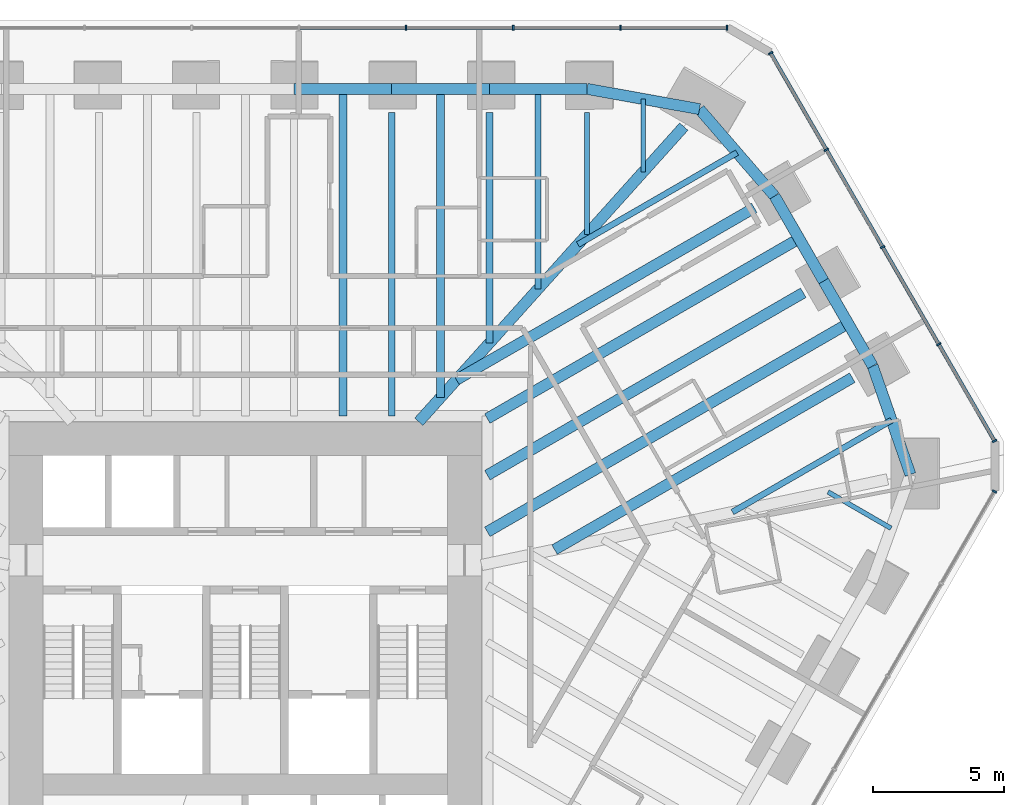
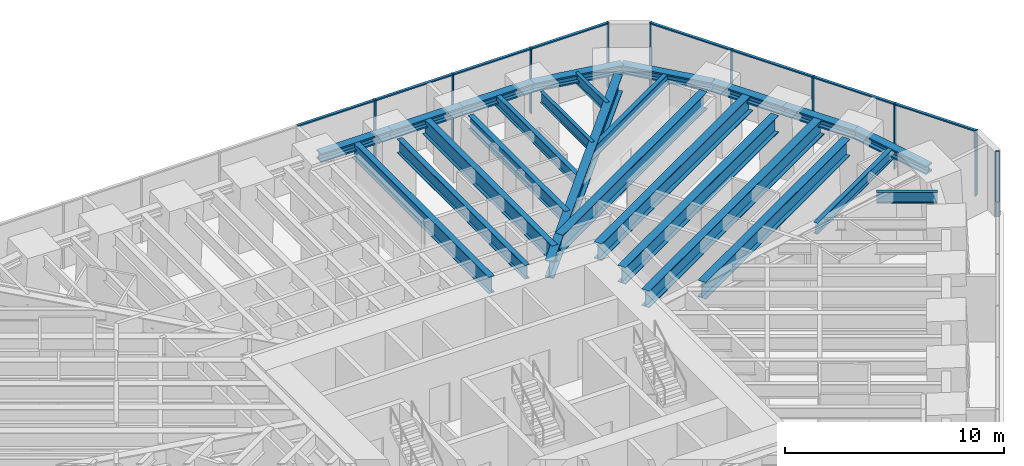
# One storey, part 9 of 17: 24 beams, 18 members, 3 elements without a shape of their own.
"""IFC4 building model written with IfcOpenShell, lengths in metres."""

from ifc_helpers import new_model, si_unit, direction, frame, origin, origin_2d, place, context, subcontext, project, spatial, rectangle, i_section, extrude, material, material_profile, profile_set, type_object, element, aggregate, save


model = new_model("IFC4")

# Units and contexts
model_context = context("Model", 3, precision=1e-05, world=origin(), true_north=direction((0.0, 1.0)))
body_context = subcontext(model_context, "Body", "Model", "MODEL_VIEW")
ifc_project = project(units=[si_unit("LENGTHUNIT", "METRE"), si_unit("AREAUNIT", "SQUARE_METRE"), si_unit("VOLUMEUNIT", "CUBIC_METRE"), si_unit("PLANEANGLEUNIT", "RADIAN"), si_unit("MASSUNIT", "GRAM", prefix="KILO")], contexts=[model_context])

# Site, building, storey
site_placement = place(None, origin())
site = spatial("IfcSite", under=ifc_project, at=site_placement, CompositionType="ELEMENT")
building_placement = place(site_placement, origin())
building = spatial("IfcBuilding", under=site, at=building_placement, Name="Sandreach Pilgrim Tower", CompositionType="ELEMENT")
storey_placement = place(building_placement, frame((0.0, 0.0, 169.0)))
storey = spatial("IfcBuildingStorey", under=building, at=storey_placement, Name="L42", CompositionType="ELEMENT", Elevation=169.0)

# Beams
ifc_material_1 = material(Name="Steel ASTM A913 Grade 65", Category="steel")
ifc_material_profile_1 = material_profile(ifc_material_1, i_section(OverallWidth=0.4267578125, OverallDepth=0.482666015625, WebThickness=0.05126953125, FlangeThickness=0.08154296875, at=origin_2d()), Name="W14X455")
ifc_profile_set_1 = profile_set([ifc_material_profile_1], Name="Steel ASTM A913 Grade 65")
beam_type_1 = type_object("IfcBeamType", Name="Belt truss chord W14X455", PredefinedType="BEAM", material=ifc_profile_set_1)
beam_1_placement = place(storey_placement, frame((1.869873046875, 20.155517578125, 3.398681640625), z_axis=(1.0, 0.0, 0.0), x_axis=(0.0, 1.0, 0.0)))
element("IfcBeam", 1, at=beam_1_placement, inside=storey, type_object=beam_type_1, Name="BM L42 BTB05", PredefinedType="BEAM", context=body_context, shape_type="SweptSolid", body=[
    extrude(i_section(OverallWidth=0.4267578125, OverallDepth=0.482666015625, WebThickness=0.05126953125, FlangeThickness=0.08154296875, at=origin_2d()), origin(), (0.0, 0.0, 1.0), 3.739990234375),
])
beam_2_placement = place(storey_placement, frame((5.60986328125, 20.155517578125, 3.398681640625), z_axis=(1.0, 0.0, 0.0), x_axis=(0.0, 1.0, 0.0)))
element("IfcBeam", 2, at=beam_2_placement, inside=storey, type_object=beam_type_1, Name="BM L42 BTB06", PredefinedType="BEAM", context=body_context, shape_type="SweptSolid", body=[
    extrude(i_section(OverallWidth=0.4267578125, OverallDepth=0.482666015625, WebThickness=0.05126953125, FlangeThickness=0.08154296875, at=origin_2d()), origin(), (0.0, 0.0, 1.0), 3.73974609375),
])
beam_3_placement = place(storey_placement, frame((9.349609375, 20.155517578125, 3.398681640625), z_axis=(1.0, 0.0, 0.0), x_axis=(0.0, 1.0, 0.0)))
element("IfcBeam", 3, at=beam_3_placement, inside=storey, type_object=beam_type_1, Name="BM L42 BTB07", PredefinedType="BEAM", context=body_context, shape_type="SweptSolid", body=[
    extrude(i_section(OverallWidth=0.4267578125, OverallDepth=0.482666015625, WebThickness=0.05126953125, FlangeThickness=0.08154296875, at=origin_2d()), origin(), (0.0, 0.0, 1.0), 3.739990234375),
])
beam_4_placement = place(storey_placement, frame((13.089599609375, 20.155517578125, 3.398681640625), z_axis=(0.984127496172, -0.177462872958, 0.0), x_axis=(0.177462872958, 0.984127496172, 0.0)))
element("IfcBeam", 4, at=beam_4_placement, inside=storey, type_object=beam_type_1, Name="BM L42 BTB08", PredefinedType="BEAM", context=body_context, shape_type="SweptSolid", body=[
    extrude(i_section(OverallWidth=0.4267578125, OverallDepth=0.482666015625, WebThickness=0.05126953125, FlangeThickness=0.08154296875, at=origin_2d()), origin(), (0.0, 0.0, 1.0), 4.38037109375),
])
beam_5_placement = place(storey_placement, frame((17.400390625, 19.378173828125, 3.398681640625), z_axis=(0.653622757827, -0.756820514026, 0.0), x_axis=(0.756820514026, 0.653622757827, 0.0)))
element("IfcBeam", 5, at=beam_5_placement, inside=storey, type_object=beam_type_1, Name="BM L42 BTB09", PredefinedType="BEAM", context=body_context, shape_type="SweptSolid", body=[
    extrude(i_section(OverallWidth=0.4267578125, OverallDepth=0.482666015625, WebThickness=0.05126953125, FlangeThickness=0.08154296875, at=origin_2d()), origin(), (0.0, 0.0, 1.0), 4.402587890625),
])
for number, where, z_axis, x_axis, name in (
    (6, (20.278076171875, 16.046142578125, 3.398681640625), (0.50000368483, -0.866023276337, 0.0), (0.866023276337, 0.50000368483, 0.0), "BM L42 BTB10"),
    (7, (22.15673828125, 12.792236328125, 3.398681640625), (0.50000368483, -0.866023276337, 0.0), (0.866023276337, 0.50000368483, 0.0), "BM L42 BTB11"),
):
    element("IfcBeam", number, at=place(storey_placement, frame(where, z_axis=z_axis, x_axis=x_axis)), inside=storey, type_object=beam_type_1, Name=name, PredefinedType="BEAM", context=body_context, shape_type="SweptSolid", body=[
        extrude(i_section(OverallWidth=0.4267578125, OverallDepth=0.482666015625, WebThickness=0.05126953125, FlangeThickness=0.08154296875, at=origin_2d()), origin(), (0.0, 0.0, 1.0), 3.75732421875),
    ])
beam_6_placement = place(storey_placement, frame((24.035400390625, 9.538330078125, 3.398681640625), z_axis=(0.328610955688, -0.944465372474, 0.0), x_axis=(0.944465372474, 0.328610955688, 0.0)))
element("IfcBeam", 8, at=beam_6_placement, inside=storey, type_object=beam_type_1, Name="BM L42 BTB12", PredefinedType="BEAM", context=body_context, shape_type="SweptSolid", body=[
    extrude(i_section(OverallWidth=0.4267578125, OverallDepth=0.482666015625, WebThickness=0.05126953125, FlangeThickness=0.08154296875, at=origin_2d()), origin(), (0.0, 0.0, 1.0), 4.402587890625),
])

# Curtain wall, members
ifc_material_2 = material(Name="Aluminium framed curtain wall", Category="aluminium")
curtain_wall_type = type_object("IfcCurtainWallType", Name="Hotel tower curtain wall", PredefinedType="NOTDEFINED", material=ifc_material_2)
curtain_wall_1_placement = place(storey_placement, origin())
curtain_wall_1 = element("IfcCurtainWall", 9, at=curtain_wall_1_placement, inside=storey, type_object=curtain_wall_type, Name="CW-2 L42 N", PredefinedType="NOTDEFINED")
ifc_material_3 = material(Name="Aluminium extrusion", Category="aluminium")
ifc_material_profile_2 = material_profile(ifc_material_3, rectangle(XDim=0.06494140625, YDim=0.179931640625, at=origin_2d()), Name="CW-2M 65X180")
ifc_profile_set_2 = profile_set([ifc_material_profile_2], Name="Aluminium extrusion")
member_type_1 = type_object("IfcMemberType", Name="CW-2 mullion", PredefinedType="MULLION", material=ifc_profile_set_2)
member_1_placement = place(storey_placement, frame((6.160400390625, 22.493896484375, 0.0), z_axis=(0.0, 0.0, 1.0), x_axis=(1.0, 0.0, 0.0)))
member_1 = element("IfcMember", 10, at=member_1_placement, type_object=member_type_1, Name="CW-2 mullion 7", PredefinedType="MULLION", context=body_context, shape_type="SweptSolid", body=[
    extrude(rectangle(XDim=0.06494140625, YDim=0.179931640625, at=origin_2d()), origin(), (0.0, 0.0, 1.0), 3.639892578125),
])
member_2_placement = place(storey_placement, frame((10.267333984375, 22.493896484375, 0.0), z_axis=(0.0, 0.0, 1.0), x_axis=(1.0, 0.0, 0.0)))
member_2 = element("IfcMember", 11, at=member_2_placement, type_object=member_type_1, Name="CW-2 mullion 8", PredefinedType="MULLION", context=body_context, shape_type="SweptSolid", body=[
    extrude(rectangle(XDim=0.06494140625, YDim=0.179931640625, at=origin_2d()), origin(), (0.0, 0.0, 1.0), 3.639892578125),
])
member_3_placement = place(storey_placement, frame((14.37451171875, 22.493896484375, 0.0), z_axis=(0.0, 0.0, 1.0), x_axis=(1.0, 0.0, 0.0)))
member_3 = element("IfcMember", 12, at=member_3_placement, type_object=member_type_1, Name="CW-2 mullion 9", PredefinedType="MULLION", context=body_context, shape_type="SweptSolid", body=[
    extrude(rectangle(XDim=0.06494140625, YDim=0.179931640625, at=origin_2d()), origin(), (0.0, 0.0, 1.0), 3.639892578125),
])
member_4_placement = place(storey_placement, frame((18.448974609375, 22.493896484375, 0.0), z_axis=(0.0, 0.0, 1.0), x_axis=(1.0, 0.0, 0.0)))
member_4 = element("IfcMember", 13, at=member_4_placement, type_object=member_type_1, Name="CW-2 mullion 10", PredefinedType="MULLION", context=body_context, shape_type="SweptSolid", body=[
    extrude(rectangle(XDim=0.06494140625, YDim=0.179931640625, at=origin_2d()), origin(), (0.0, 0.0, 1.0), 3.639892578125),
])

curtain_wall_2_placement = place(storey_placement, origin())
curtain_wall_2 = element("IfcCurtainWall", 14, at=curtain_wall_2_placement, inside=storey, type_object=curtain_wall_type, Name="CW-2 L42 NE", PredefinedType="NOTDEFINED")
member_5_placement = place(storey_placement, frame((20.125732421875, 21.525634765625, 0.0), z_axis=(0.0, 0.0, 1.0), x_axis=(0.5, -0.866025403784, 0.0)))
member_5 = element("IfcMember", 15, at=member_5_placement, type_object=member_type_1, Name="CW-2 mullion 1", PredefinedType="MULLION", context=body_context, shape_type="SweptSolid", body=[
    extrude(rectangle(XDim=0.06494140625, YDim=0.179931640625, at=origin_2d()), origin(), (0.0, 0.0, 1.0), 3.639892578125),
])
member_6_placement = place(storey_placement, frame((22.262451171875, 17.824951171875, 0.0), z_axis=(0.0, 0.0, 1.0), x_axis=(0.5, -0.866025403784, 0.0)))
member_6 = element("IfcMember", 16, at=member_6_placement, type_object=member_type_1, Name="CW-2 mullion 2", PredefinedType="MULLION", context=body_context, shape_type="SweptSolid", body=[
    extrude(rectangle(XDim=0.06494140625, YDim=0.179931640625, at=origin_2d()), origin(), (0.0, 0.0, 1.0), 3.639892578125),
])
member_7_placement = place(storey_placement, frame((24.415283203125, 14.09619140625, 0.0), z_axis=(0.0, 0.0, 1.0), x_axis=(0.5, -0.866025403784, 0.0)))
member_7 = element("IfcMember", 17, at=member_7_placement, type_object=member_type_1, Name="CW-2 mullion 3", PredefinedType="MULLION", context=body_context, shape_type="SweptSolid", body=[
    extrude(rectangle(XDim=0.06494140625, YDim=0.179931640625, at=origin_2d()), origin(), (0.0, 0.0, 1.0), 3.639892578125),
])
member_8_placement = place(storey_placement, frame((26.568115234375, 10.3671875, 0.0), z_axis=(0.0, 0.0, 1.0), x_axis=(0.5, -0.866025403784, 0.0)))
member_8 = element("IfcMember", 18, at=member_8_placement, type_object=member_type_1, Name="CW-2 mullion 4", PredefinedType="MULLION", context=body_context, shape_type="SweptSolid", body=[
    extrude(rectangle(XDim=0.06494140625, YDim=0.179931640625, at=origin_2d()), origin(), (0.0, 0.0, 1.0), 3.639892578125),
])
member_9_placement = place(storey_placement, frame((28.70458984375, 6.66650390625, 0.0), z_axis=(0.0, 0.0, 1.0), x_axis=(0.5, -0.866025403784, 0.0)))
member_9 = element("IfcMember", 19, at=member_9_placement, type_object=member_type_1, Name="CW-2 mullion 5", PredefinedType="MULLION", context=body_context, shape_type="SweptSolid", body=[
    extrude(rectangle(XDim=0.06494140625, YDim=0.179931640625, at=origin_2d()), origin(), (0.0, 0.0, 1.0), 3.639892578125),
])

# Curtain wall, member
curtain_wall_3_placement = place(storey_placement, origin())
curtain_wall_3 = element("IfcCurtainWall", 20, at=curtain_wall_3_placement, inside=storey, type_object=curtain_wall_type, Name="CW-2 L42 SE", PredefinedType="NOTDEFINED")
member_10_placement = place(storey_placement, frame((28.70458984375, 4.730224609375, 0.0), z_axis=(0.0, 0.0, 1.0), x_axis=(-0.5, -0.866025403784, 0.0)))
member_10 = element("IfcMember", 21, at=member_10_placement, type_object=member_type_1, Name="CW-2 mullion 1", PredefinedType="MULLION", context=body_context, shape_type="SweptSolid", body=[
    extrude(rectangle(XDim=0.06494140625, YDim=0.179931640625, at=origin_2d()), origin(), (0.0, 0.0, 1.0), 3.639892578125),
])
aggregate(curtain_wall_3, [member_10])

# Member
ifc_material_4 = material(Name="Aluminium extrusion", Category="aluminium")
ifc_material_profile_3 = material_profile(ifc_material_4, rectangle(XDim=0.139892578125, YDim=0.070068359375, at=origin_2d()), Name="CW-2T 140X70")
ifc_profile_set_3 = profile_set([ifc_material_profile_3], Name="Aluminium extrusion")
member_type_2 = type_object("IfcMemberType", Name="CW-2 transom", PredefinedType="USERDEFINED", material=ifc_profile_set_3)
member_11_placement = place(storey_placement, frame((2.0859375, 22.493896484375, 3.60498046875), z_axis=(1.0, 0.0, 0.0), x_axis=(0.0, 1.0, 0.0)))
member_11 = element("IfcMember", 22, at=member_11_placement, type_object=member_type_2, Name="CW-2 head transom 6", ObjectType="TRANSOM", PredefinedType="USERDEFINED", context=body_context, shape_type="SweptSolid", body=[
    extrude(rectangle(XDim=0.139892578125, YDim=0.070068359375, at=origin_2d()), origin(), (0.0, 0.0, 1.0), 4.0419921875),
])

member_12_placement = place(storey_placement, frame((6.19287109375, 22.493896484375, 3.60498046875), z_axis=(1.0, 0.0, 0.0), x_axis=(0.0, 1.0, 0.0)))
member_12 = element("IfcMember", 23, at=member_12_placement, type_object=member_type_2, Name="CW-2 head transom 7", ObjectType="TRANSOM", PredefinedType="USERDEFINED", context=body_context, shape_type="SweptSolid", body=[
    extrude(rectangle(XDim=0.139892578125, YDim=0.070068359375, at=origin_2d()), origin(), (0.0, 0.0, 1.0), 4.0419921875),
])

member_13_placement = place(storey_placement, frame((10.300048828125, 22.493896484375, 3.60498046875), z_axis=(1.0, 0.0, 0.0), x_axis=(0.0, 1.0, 0.0)))
member_13 = element("IfcMember", 24, at=member_13_placement, type_object=member_type_2, Name="CW-2 head transom 8", ObjectType="TRANSOM", PredefinedType="USERDEFINED", context=body_context, shape_type="SweptSolid", body=[
    extrude(rectangle(XDim=0.139892578125, YDim=0.070068359375, at=origin_2d()), origin(), (0.0, 0.0, 1.0), 4.041748046875),
])

member_14_placement = place(storey_placement, frame((14.406982421875, 22.493896484375, 3.60498046875), z_axis=(1.0, 0.0, 0.0), x_axis=(0.0, 1.0, 0.0)))
member_14 = element("IfcMember", 25, at=member_14_placement, type_object=member_type_2, Name="CW-2 head transom 9", ObjectType="TRANSOM", PredefinedType="USERDEFINED", context=body_context, shape_type="SweptSolid", body=[
    extrude(rectangle(XDim=0.139892578125, YDim=0.070068359375, at=origin_2d()), origin(), (0.0, 0.0, 1.0), 4.00927734375),
])

aggregate(curtain_wall_1, [member_1, member_2, member_3, member_4, member_11, member_12, member_13, member_14])

member_15_placement = place(storey_placement, frame((20.14208984375, 21.49755859375, 3.60498046875), z_axis=(0.49997020258, -0.86604260665, 0.0), x_axis=(0.86604260665, 0.49997020258, 0.0)))
member_15 = element("IfcMember", 26, at=member_15_placement, type_object=member_type_2, Name="CW-2 head transom 1", ObjectType="TRANSOM", PredefinedType="USERDEFINED", context=body_context, shape_type="SweptSolid", body=[
    extrude(rectangle(XDim=0.139892578125, YDim=0.070068359375, at=origin_2d()), origin(), (0.0, 0.0, 1.0), 4.208251953125),
])

member_16_placement = place(storey_placement, frame((22.278564453125, 17.796875, 3.60498046875), z_axis=(0.499996541496, -0.866027400544, 0.0), x_axis=(0.866027400544, 0.499996541496, 0.0)))
member_16 = element("IfcMember", 27, at=member_16_placement, type_object=member_type_2, Name="CW-2 head transom 2", ObjectType="TRANSOM", PredefinedType="USERDEFINED", context=body_context, shape_type="SweptSolid", body=[
    extrude(rectangle(XDim=0.139892578125, YDim=0.070068359375, at=origin_2d()), origin(), (0.0, 0.0, 1.0), 4.24072265625),
])

member_17_placement = place(storey_placement, frame((24.431396484375, 14.06787109375, 3.60498046875), z_axis=(0.500021471012, -0.866013007135, 0.0), x_axis=(0.866013007135, 0.500021471012, 0.0)))
member_17 = element("IfcMember", 28, at=member_17_placement, type_object=member_type_2, Name="CW-2 head transom 3", ObjectType="TRANSOM", PredefinedType="USERDEFINED", context=body_context, shape_type="SweptSolid", body=[
    extrude(rectangle(XDim=0.139892578125, YDim=0.070068359375, at=origin_2d()), origin(), (0.0, 0.0, 1.0), 4.240478515625),
])

member_18_placement = place(storey_placement, frame((26.584228515625, 10.339111328125, 3.60498046875), z_axis=(0.500038835258, -0.866002981077, 0.0), x_axis=(0.866002981077, 0.500038835258, 0.0)))
member_18 = element("IfcMember", 29, at=member_18_placement, type_object=member_type_2, Name="CW-2 head transom 4", ObjectType="TRANSOM", PredefinedType="USERDEFINED", context=body_context, shape_type="SweptSolid", body=[
    extrude(rectangle(XDim=0.139892578125, YDim=0.070068359375, at=origin_2d()), origin(), (0.0, 0.0, 1.0), 4.208251953125),
])

aggregate(curtain_wall_2, [member_5, member_6, member_7, member_8, member_9, member_15, member_16, member_17, member_18])

# Beams
ifc_material_5 = material(Name="Steel ASTM A992 Grade 50", Category="steel")
ifc_material_profile_4 = material_profile(ifc_material_5, i_section(OverallWidth=0.424072265625, OverallDepth=0.965087890625, WebThickness=0.028564453125, FlangeThickness=0.051025390625, at=origin_2d()), Name="W36X361")
ifc_profile_set_4 = profile_set([ifc_material_profile_4], Name="Steel ASTM A992 Grade 50")
beam_type_2 = type_object("IfcBeamType", Name="Corner girder W36X361", PredefinedType="BEAM", material=ifc_profile_set_4)
beam_7_placement = place(storey_placement, frame((16.799072265625, 18.70849609375, 3.157470703125), z_axis=(-0.668112306427, -0.744060445126, 0.0), x_axis=(0.744060445126, -0.668112306427, 0.0)))
element("IfcBeam", 30, at=beam_7_placement, inside=storey, type_object=beam_type_2, Name="BM L42 CG09", PredefinedType="BEAM", context=body_context, shape_type="SweptSolid", body=[
    extrude(i_section(OverallWidth=0.424072265625, OverallDepth=0.965087890625, WebThickness=0.028564453125, FlangeThickness=0.051025390625, at=origin_2d()), origin(), (0.0, 0.0, 1.0), 15.198486328125),
])
ifc_material_6 = material(Name="Steel ASTM A992 Grade 50", Category="steel")
ifc_material_profile_5 = material_profile(ifc_material_6, i_section(OverallWidth=0.1787109375, OverallDepth=0.60205078125, WebThickness=0.010986328125, FlangeThickness=0.014892578125, at=origin_2d()), Name="W24X62")
ifc_profile_set_5 = profile_set([ifc_material_profile_5], Name="Steel ASTM A992 Grade 50")
beam_type_3 = type_object("IfcBeamType", Name="Floor beam W24X62", PredefinedType="BEAM", material=ifc_profile_set_5)
beam_8_placement = place(storey_placement, frame((13.089599609375, 19.255615234375, 3.339111328125), z_axis=(0.0, -1.0, 0.0), x_axis=(1.0, 0.0, 0.0)))
element("IfcBeam", 31, at=beam_8_placement, inside=storey, type_object=beam_type_3, Name="BM L42 F08", PredefinedType="BEAM", context=body_context, shape_type="SweptSolid", body=[
    extrude(i_section(OverallWidth=0.1787109375, OverallDepth=0.60205078125, WebThickness=0.010986328125, FlangeThickness=0.014892578125, at=origin_2d()), origin(), (0.0, 0.0, 1.0), 4.67822265625),
])
for number, where, z_axis, x_axis, name in (
    (32, (15.2451171875, 19.766845703125, 3.339111328125), (0.0, -1.0, 0.0), (1.0, 0.0, 0.0), "BM L42 FM08"),
    (33, (24.740966796875, 3.319091796875, 3.339111328125), (-0.866015025668, 0.500017974994, 0.0), (-0.500017974994, -0.866015025668, 0.0), "BM L42 FM13"),
):
    element("IfcBeam", number, at=place(storey_placement, frame(where, z_axis=z_axis, x_axis=x_axis)), inside=storey, type_object=beam_type_3, Name=name, PredefinedType="BEAM", context=body_context, shape_type="SweptSolid", body=[
        extrude(i_section(OverallWidth=0.1787109375, OverallDepth=0.60205078125, WebThickness=0.010986328125, FlangeThickness=0.014892578125, at=origin_2d()), origin(), (0.0, 0.0, 1.0), 2.7890625),
    ])
ifc_material_7 = material(Name="Steel ASTM A992 Grade 50", Category="steel")
ifc_material_profile_6 = material_profile(ifc_material_7, i_section(OverallWidth=0.23046875, OverallDepth=0.6171875, WebThickness=0.01318359375, FlangeThickness=0.022216796875, at=origin_2d()), Name="W24X94")
ifc_profile_set_6 = profile_set([ifc_material_profile_6], Name="Steel ASTM A992 Grade 50")
beam_type_4 = type_object("IfcBeamType", Name="Floor beam W24X94", PredefinedType="BEAM", material=ifc_profile_set_6)
beam_9_placement = place(storey_placement, frame((11.2197265625, 20.155517578125, 3.331298828125), z_axis=(0.0, -1.0, 0.0), x_axis=(1.0, 0.0, 0.0)))
element("IfcBeam", 34, at=beam_9_placement, inside=storey, type_object=beam_type_4, Name="BM L42 FM07", PredefinedType="BEAM", context=body_context, shape_type="SweptSolid", body=[
    extrude(i_section(OverallWidth=0.23046875, OverallDepth=0.6171875, WebThickness=0.01318359375, FlangeThickness=0.022216796875, at=origin_2d()), origin(), (0.0, 0.0, 1.0), 7.66064453125),
])
for number, where, z_axis, x_axis, name in (
    (35, (18.83935546875, 17.712158203125, 3.331298828125), (-0.866022660904, -0.500004750779, 0.0), (0.500004750779, -0.866022660904, 0.0), "BM L42 FM09"),
    (36, (24.7587890625, 7.459228515625, 3.331298828125), (-0.866022660904, -0.500004750779, 0.0), (0.500004750779, -0.866022660904, 0.0), "BM L42 FM12"),
):
    element("IfcBeam", number, at=place(storey_placement, frame(where, z_axis=z_axis, x_axis=x_axis)), inside=storey, type_object=beam_type_4, Name=name, PredefinedType="BEAM", context=body_context, shape_type="SweptSolid", body=[
        extrude(i_section(OverallWidth=0.23046875, OverallDepth=0.6171875, WebThickness=0.01318359375, FlangeThickness=0.022216796875, at=origin_2d()), origin(), (0.0, 0.0, 1.0), 7.037109375),
    ])
ifc_material_8 = material(Name="Steel ASTM A992 Grade 50", Category="steel")
ifc_material_profile_7 = material_profile(ifc_material_8, i_section(OverallWidth=0.2666015625, OverallDepth=0.761962890625, WebThickness=0.014404296875, FlangeThickness=0.021484375, at=origin_2d()), Name="W30X116")
ifc_profile_set_7 = profile_set([ifc_material_profile_7], Name="Steel ASTM A992 Grade 50")
beam_type_5 = type_object("IfcBeamType", Name="Floor beam W30X116", PredefinedType="BEAM", material=ifc_profile_set_7)
beam_10_placement = place(storey_placement, frame((9.349609375, 19.255615234375, 3.259033203125), z_axis=(0.0, -1.0, 0.0), x_axis=(1.0, 0.0, 0.0)))
element("IfcBeam", 37, at=beam_10_placement, inside=storey, type_object=beam_type_5, Name="BM L42 F07", PredefinedType="BEAM", context=body_context, shape_type="SweptSolid", body=[
    extrude(i_section(OverallWidth=0.2666015625, OverallDepth=0.761962890625, WebThickness=0.014404296875, FlangeThickness=0.021484375, at=origin_2d()), origin(), (0.0, 0.0, 1.0), 8.84326171875),
])
ifc_material_9 = material(Name="Steel ASTM A992 Grade 50", Category="steel")
ifc_material_profile_8 = material_profile(ifc_material_9, i_section(OverallWidth=0.2666015625, OverallDepth=0.77978515625, WebThickness=0.0166015625, FlangeThickness=0.030029296875, at=origin_2d()), Name="W30X148")
ifc_profile_set_8 = profile_set([ifc_material_profile_8], Name="Steel ASTM A992 Grade 50")
beam_type_6 = type_object("IfcBeamType", Name="Floor beam W30X148", PredefinedType="BEAM", material=ifc_profile_set_8)
beam_11_placement = place(storey_placement, frame((5.60986328125, 19.255615234375, 3.25), z_axis=(0.0, -1.0, 0.0), x_axis=(1.0, 0.0, 0.0)))
element("IfcBeam", 38, at=beam_11_placement, inside=storey, type_object=beam_type_6, Name="BM L42 F06", PredefinedType="BEAM", context=body_context, shape_type="SweptSolid", body=[
    extrude(i_section(OverallWidth=0.2666015625, OverallDepth=0.77978515625, WebThickness=0.0166015625, FlangeThickness=0.030029296875, at=origin_2d()), origin(), (0.0, 0.0, 1.0), 11.633544921875),
])
ifc_material_10 = material(Name="Steel ASTM A992 Grade 50", Category="steel")
ifc_material_profile_9 = material_profile(ifc_material_10, i_section(OverallWidth=0.3046875, OverallDepth=0.914306640625, WebThickness=0.0166015625, FlangeThickness=0.02587890625, at=origin_2d()), Name="W36X160")
ifc_profile_set_9 = profile_set([ifc_material_profile_9], Name="Steel ASTM A992 Grade 50")
beam_type_7 = type_object("IfcBeamType", Name="Floor beam W36X160", PredefinedType="BEAM", material=ifc_profile_set_9)
beam_12_placement = place(storey_placement, frame((3.739990234375, 20.155517578125, 3.182861328125), z_axis=(0.0, -1.0, 0.0), x_axis=(1.0, 0.0, 0.0)))
element("IfcBeam", 39, at=beam_12_placement, inside=storey, type_object=beam_type_7, Name="BM L42 FM05", PredefinedType="BEAM", context=body_context, shape_type="SweptSolid", body=[
    extrude(i_section(OverallWidth=0.3046875, OverallDepth=0.914306640625, WebThickness=0.0166015625, FlangeThickness=0.02587890625, at=origin_2d()), origin(), (0.0, 0.0, 1.0), 12.533447265625),
])
beam_13_placement = place(storey_placement, frame((7.479736328125, 20.155517578125, 3.182861328125), z_axis=(0.0, -1.0, 0.0), x_axis=(1.0, 0.0, 0.0)))
element("IfcBeam", 40, at=beam_13_placement, inside=storey, type_object=beam_type_7, Name="BM L42 FM06", PredefinedType="BEAM", context=body_context, shape_type="SweptSolid", body=[
    extrude(i_section(OverallWidth=0.3046875, OverallDepth=0.914306640625, WebThickness=0.0166015625, FlangeThickness=0.02587890625, at=origin_2d()), origin(), (0.0, 0.0, 1.0), 11.82568359375),
])
ifc_material_11 = material(Name="Steel ASTM A992 Grade 50", Category="steel")
ifc_material_profile_10 = material_profile(ifc_material_11, i_section(OverallWidth=0.419189453125, OverallDepth=0.927001953125, WebThickness=0.019287109375, FlangeThickness=0.031982421875, at=origin_2d()), Name="W36X231")
ifc_profile_set_10 = profile_set([ifc_material_profile_10], Name="Steel ASTM A992 Grade 50")
beam_type_8 = type_object("IfcBeamType", Name="Floor beam W36X231", PredefinedType="BEAM", material=ifc_profile_set_10)
beam_14_placement = place(storey_placement, frame((19.49853515625, 15.59619140625, 3.176513671875), z_axis=(-0.866018626374, -0.500011738636, 0.0), x_axis=(0.500011738636, -0.866018626374, 0.0)))
element("IfcBeam", 41, at=beam_14_placement, inside=storey, type_object=beam_type_8, Name="BM L42 F10", PredefinedType="BEAM", context=body_context, shape_type="SweptSolid", body=[
    extrude(i_section(OverallWidth=0.419189453125, OverallDepth=0.927001953125, WebThickness=0.019287109375, FlangeThickness=0.031982421875, at=origin_2d()), origin(), (0.0, 0.0, 1.0), 13.174072265625),
])
beam_15_placement = place(storey_placement, frame((21.377197265625, 12.34228515625, 3.176513671875), z_axis=(-0.866023576522, -0.500003164897, 0.0), x_axis=(0.500003164897, -0.866023576522, 0.0)))
element("IfcBeam", 42, at=beam_15_placement, inside=storey, type_object=beam_type_8, Name="BM L42 F11", PredefinedType="BEAM", context=body_context, shape_type="SweptSolid", body=[
    extrude(i_section(OverallWidth=0.419189453125, OverallDepth=0.927001953125, WebThickness=0.019287109375, FlangeThickness=0.031982421875, at=origin_2d()), origin(), (0.0, 0.0, 1.0), 13.97802734375),
])
beam_16_placement = place(storey_placement, frame((23.255859375, 9.08837890625, 3.176513671875), z_axis=(-0.866018626374, -0.500011738636, 0.0), x_axis=(0.500011738636, -0.866018626374, 0.0)))
element("IfcBeam", 43, at=beam_16_placement, inside=storey, type_object=beam_type_8, Name="BM L42 F12", PredefinedType="BEAM", context=body_context, shape_type="SweptSolid", body=[
    extrude(i_section(OverallWidth=0.419189453125, OverallDepth=0.927001953125, WebThickness=0.019287109375, FlangeThickness=0.031982421875, at=origin_2d()), origin(), (0.0, 0.0, 1.0), 13.174072265625),
])
beam_17_placement = place(storey_placement, frame((21.21728515625, 14.419189453125, 3.176513671875), z_axis=(-0.866022291841, -0.500005390006, 0.0), x_axis=(0.500005390006, -0.866022291841, 0.0)))
element("IfcBeam", 44, at=beam_17_placement, inside=storey, type_object=beam_type_8, Name="BM L42 FM10", PredefinedType="BEAM", context=body_context, shape_type="SweptSolid", body=[
    extrude(i_section(OverallWidth=0.419189453125, OverallDepth=0.927001953125, WebThickness=0.019287109375, FlangeThickness=0.031982421875, at=origin_2d()), origin(), (0.0, 0.0, 1.0), 13.793212890625),
])
beam_18_placement = place(storey_placement, frame((23.095947265625, 11.165283203125, 3.176513671875), z_axis=(-0.866027419034, -0.499996509469, 0.0), x_axis=(0.499996509469, -0.866027419034, 0.0)))
element("IfcBeam", 45, at=beam_18_placement, inside=storey, type_object=beam_type_8, Name="BM L42 FM11", PredefinedType="BEAM", context=body_context, shape_type="SweptSolid", body=[
    extrude(i_section(OverallWidth=0.419189453125, OverallDepth=0.927001953125, WebThickness=0.019287109375, FlangeThickness=0.031982421875, at=origin_2d()), origin(), (0.0, 0.0, 1.0), 15.96240234375),
])

save(model, "model.ifc")
